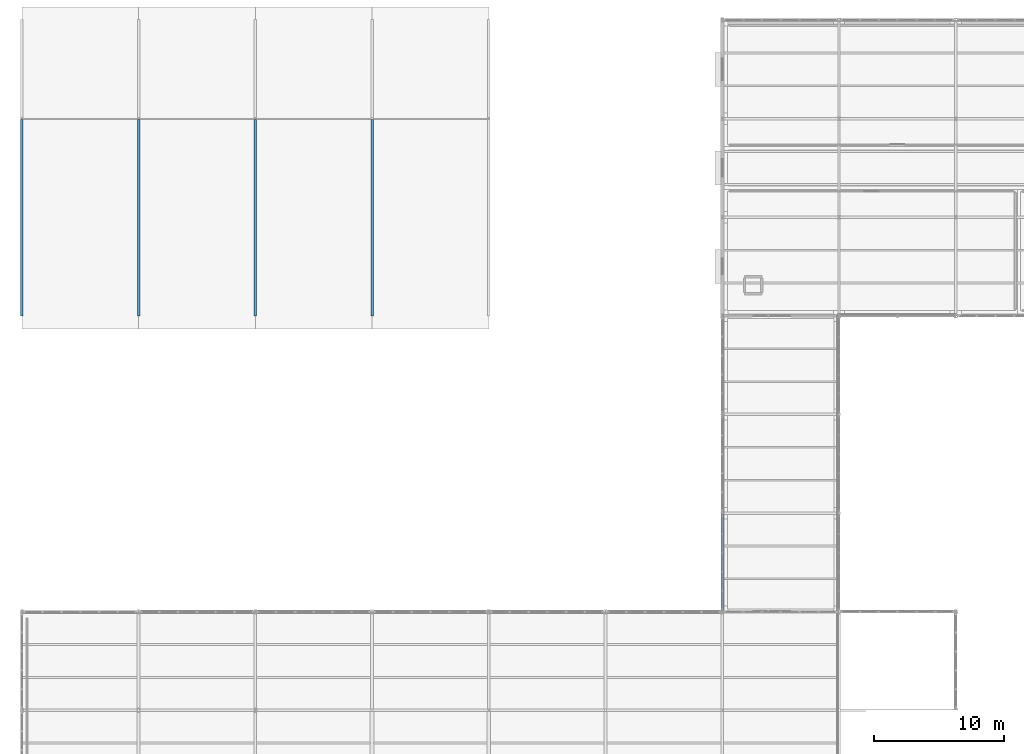
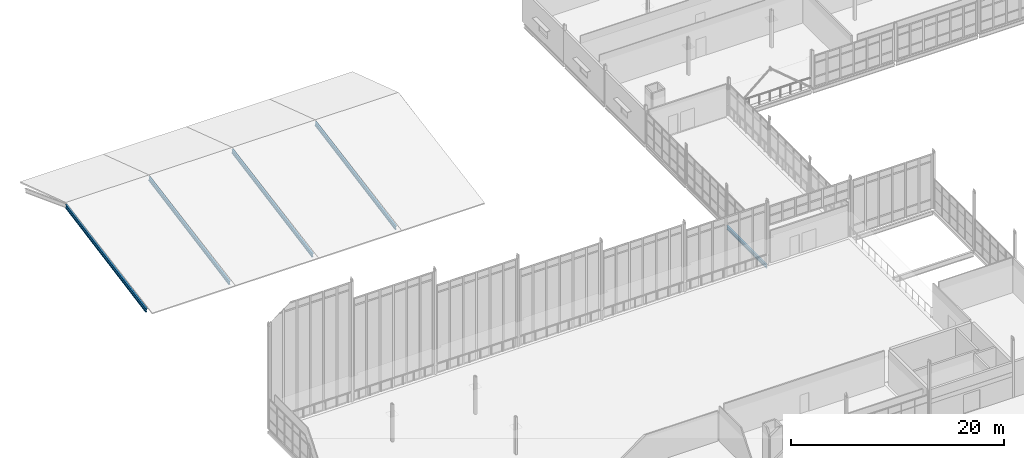
# One storey, part 70 of 166: 5 beams.
"""IFC4 building model written with IfcOpenShell, lengths in metres."""

from ifc_helpers import new_model, si_unit, direction, frame, origin, origin_2d, place, context, subcontext, project, spatial, i_section, extrude, material, material_profile, profile_set, type_object, element, save


model = new_model("IFC4")

# Units and contexts
model_context = context("Model", 3, precision=1e-05, world=origin(), true_north=direction((0.0, 1.0)))
body_context = subcontext(model_context, "Body", "Model", "MODEL_VIEW")
ifc_project = project(units=[si_unit("LENGTHUNIT", "METRE"), si_unit("AREAUNIT", "SQUARE_METRE"), si_unit("VOLUMEUNIT", "CUBIC_METRE"), si_unit("PLANEANGLEUNIT", "RADIAN"), si_unit("MASSUNIT", "GRAM", prefix="KILO")], contexts=[model_context])

# Site, building, storey
site_placement = place(None, origin())
site = spatial("IfcSite", under=ifc_project, at=site_placement, CompositionType="ELEMENT")
building_placement = place(site_placement, origin())
building = spatial("IfcBuilding", under=site, at=building_placement, Name="Caisbarro Railhouse Central Library", CompositionType="ELEMENT")
storey_placement = place(building_placement, frame((0.0, 0.0, 9.360107421875)))
storey = spatial("IfcBuildingStorey", under=building, at=storey_placement, Name="L02", CompositionType="ELEMENT", Elevation=9.360107421875)

# Beams
ifc_material = material(Name="Steel ASTM A572 Grade 50", Category="steel")
ifc_material_profile_1 = material_profile(ifc_material, i_section(OverallWidth=0.18994140625, OverallDepth=0.45703125, WebThickness=0.009033203125, FlangeThickness=0.014404296875, FilletRadius=0.01806640625, at=origin_2d()), Name="W460X74.0")
ifc_profile_set_1 = profile_set([ifc_material_profile_1], Name="Steel ASTM A572 Grade 50")
beam_type_1 = type_object("IfcBeamType", Name="BM-G08", PredefinedType="BEAM", material=ifc_profile_set_1)
for number, where, z_axis, x_axis, name in (
    (1, (0.0, 83.64990234375, -0.35009765625), (0.0, 0.982834643384, 0.184488654841), (-1.0, 0.0, 0.0), "V2 Folded Roof South Rafter X=0"),
    (2, (9.0, 83.64990234375, -0.35009765625), (0.0, 0.982834643384, 0.184488654841), (-1.0, 0.0, 0.0), "V2 Folded Roof South Rafter X=9"),
    (3, (18.0, 83.64990234375, -0.35009765625), (0.0, 0.982834643384, 0.184488654841), (-1.0, 0.0, 0.0), "V2 Folded Roof South Rafter X=18"),
    (4, (27.0, 83.64990234375, -0.35009765625), (0.0, 0.982834643384, 0.184488654841), (-1.0, 0.0, 0.0), "V2 Folded Roof South Rafter X=27"),
):
    element("IfcBeam", number, at=place(storey_placement, frame(where, z_axis=z_axis, x_axis=x_axis)), inside=storey, type_object=beam_type_1, Name=name, PredefinedType="BEAM", context=body_context, shape_type="SweptSolid", body=[
        extrude(i_section(OverallWidth=0.18994140625, OverallDepth=0.45703125, WebThickness=0.009033203125, FlangeThickness=0.014404296875, FilletRadius=0.01806640625, at=origin_2d()), origin(), (0.0, 0.0, 1.0), 15.394287109375),
    ])
ifc_material_profile_2 = material_profile(ifc_material, i_section(OverallWidth=0.177978515625, OverallDepth=0.406982421875, WebThickness=0.0078125, FlangeThickness=0.0126953125, FilletRadius=0.01611328125, at=origin_2d()), Name="W410X60.0")
ifc_profile_set_2 = profile_set([ifc_material_profile_2], Name="Steel ASTM A572 Grade 50")
beam_type_2 = type_object("IfcBeamType", Name="BM-G10", PredefinedType="BEAM", material=ifc_profile_set_2)
beam_placement = place(storey_placement, frame((54.0, 60.8798828125, -0.403564453125), z_axis=(0.0, 1.0, 0.0), x_axis=(-1.0, 0.0, 0.0)))
element("IfcBeam", 5, at=beam_placement, inside=storey, type_object=beam_type_2, Name="G10 beam L02 #1720", PredefinedType="BEAM", context=body_context, shape_type="SweptSolid", body=[
    extrude(i_section(OverallWidth=0.177978515625, OverallDepth=0.406982421875, WebThickness=0.0078125, FlangeThickness=0.0126953125, FilletRadius=0.01611328125, at=origin_2d()), origin(), (0.0, 0.0, 1.0), 7.440185546875),
])

save(model, "model.ifc")
